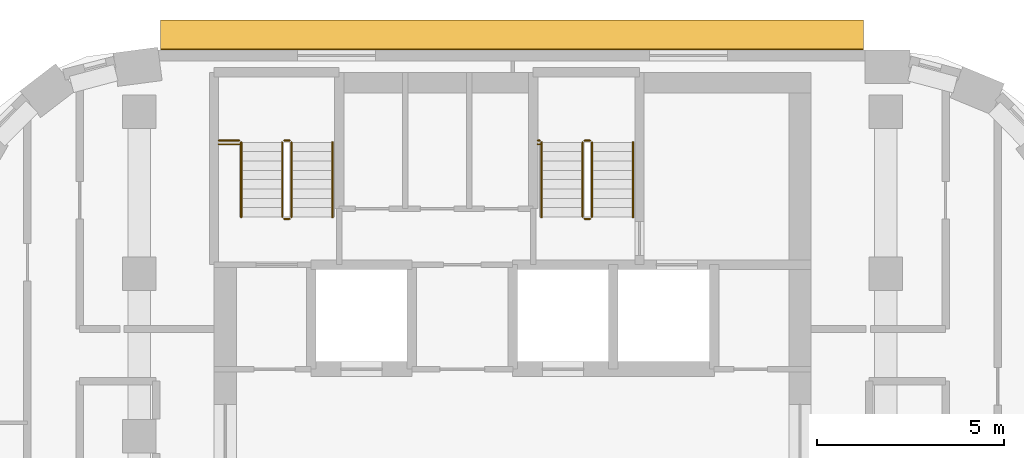
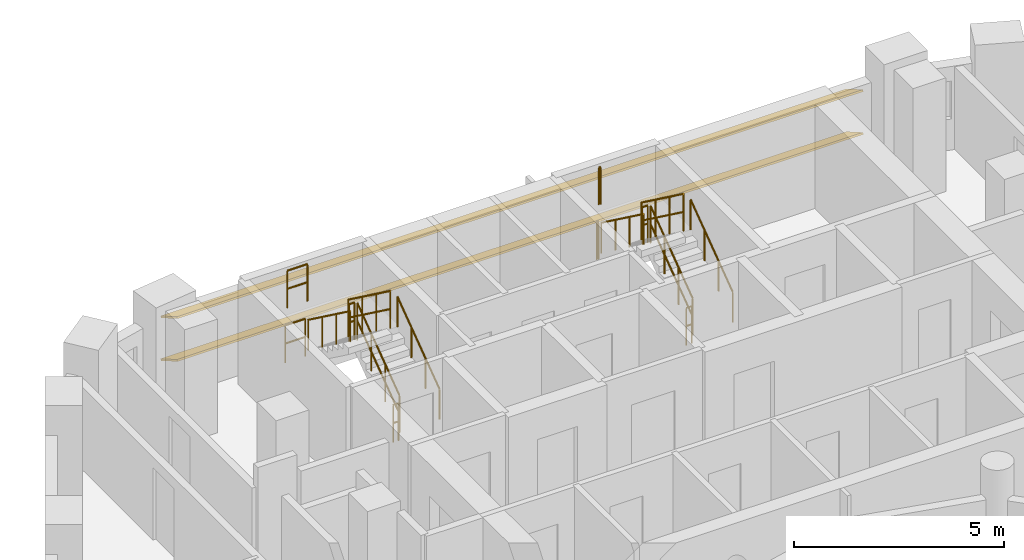
# One storey, part 17 of 17: 16 railings, 2 shading devices.
"""IFC4 building model written with IfcOpenShell, lengths in metres."""

from ifc_helpers import new_model, si_unit, direction, frame, origin, origin_2d, place, context, subcontext, project, spatial, rectangle, circle, extrude, material, material_profile, profile_set, type_object, element, save


model = new_model("IFC4")

# Units and contexts
model_context = context("Model", 3, precision=1e-05, world=origin(), true_north=direction((0.0, 1.0)))
body_context = subcontext(model_context, "Body", "Model", "MODEL_VIEW")
ifc_project = project(units=[si_unit("LENGTHUNIT", "METRE"), si_unit("AREAUNIT", "SQUARE_METRE"), si_unit("VOLUMEUNIT", "CUBIC_METRE"), si_unit("PLANEANGLEUNIT", "RADIAN"), si_unit("MASSUNIT", "GRAM", prefix="KILO")], contexts=[model_context])

# Site, building, storey
site_placement = place(None, origin())
site = spatial("IfcSite", under=ifc_project, at=site_placement, CompositionType="ELEMENT")
building_placement = place(site_placement, origin())
building = spatial("IfcBuilding", under=site, at=building_placement, Name="Nakaniwa Court", CompositionType="ELEMENT")
storey_placement = place(building_placement, frame((0.0, 0.0, 203.10009765625)))
storey = spatial("IfcBuildingStorey", under=building, at=storey_placement, Name="L53", CompositionType="ELEMENT", Elevation=203.10009765625)

# Shading devices
ifc_material_1 = material(Name="Perforated charcoal ceramic louvre blade")
ifc_material_profile = material_profile(ifc_material_1, rectangle(XDim=0.89990234375, YDim=0.050048828125, at=origin_2d()), Name="Perforated ceramic louvre blade")
ifc_profile_set = profile_set([ifc_material_profile], Name="Perforated charcoal ceramic louvre blade")
shading_device_type = type_object("IfcShadingDeviceType", Name="Perforated ceramic louvre blade", PredefinedType="JALOUSIE", material=ifc_profile_set)
for number, where, z_axis, x_axis, name in (
    (1, (89.3994140625, 103.05224609375, 0.5498046875), (-1.0, 0.0, 0.0), (0.0, -0.866025403784, 0.5), "L53 perforated ceramic louvre blade w08 1"),
    (2, (89.3994140625, 103.05224609375, 1.793212890625), (-1.0, 0.0, 0.0), (0.0, -0.866025403784, 0.5), "L53 perforated ceramic louvre blade w08 2"),
):
    element("IfcShadingDevice", number, at=place(storey_placement, frame(where, z_axis=z_axis, x_axis=x_axis)), inside=storey, type_object=shading_device_type, Name=name, PredefinedType="JALOUSIE", context=body_context, shape_type="SweptSolid", body=[
        extrude(rectangle(XDim=0.89990234375, YDim=0.050048828125, at=origin_2d()), origin(), (0.0, 0.0, 1.0), 18.8330078125),
    ])

# Railings
ifc_material_2 = material(Name="Black powder coated steel guard", Category="steel")
railing_type_1 = type_object("IfcRailingType", Name="Stair guard 1100", PredefinedType="GUARDRAIL", material=ifc_material_2)
railing_1_placement = place(storey_placement, frame((74.074951171875, 98.175048828125, 0.183349609375)))
element("IfcRailing", 3, at=railing_1_placement, inside=storey, type_object=railing_type_1, Name="L53 ST1 stair guard 1", PredefinedType="GUARDRAIL", context=body_context, shape_type="SweptSolid", body=[
    extrude(circle(Radius=0.02392578125, at=origin_2d()), frame((0.0, 0.0, 1.076171875), z_axis=(0.0, 0.806426902644, 0.591333789573), x_axis=(-1.0, 0.0, 0.0)), (0.0, 0.0, 1.0), 2.47998046875),
    extrude(circle(Radius=0.02392578125, at=origin_2d()), frame((0.0, 0.0, 0.550048828125), z_axis=(0.0, 0.806426902644, 0.591333789573), x_axis=(-1.0, 0.0, 0.0)), (0.0, 0.0, 1.0), 2.47998046875),
    extrude(circle(Radius=0.02099609375, at=origin_2d()), origin(), (0.0, 0.0, 1.0), 1.052001953125),
    extrude(circle(Radius=0.02099609375, at=origin_2d()), frame((0.0, 0.666748046875, 0.48876953125)), (0.0, 0.0, 1.0), 1.052001953125),
    extrude(circle(Radius=0.02099609375, at=origin_2d()), frame((0.0, 1.333251953125, 0.977783203125)), (0.0, 0.0, 1.0), 1.052001953125),
    extrude(circle(Radius=0.02099609375, at=origin_2d()), frame((0.0, 2.0, 1.466552734375)), (0.0, 0.0, 1.0), 1.052001953125),
])
railing_2_placement = place(storey_placement, frame((74.02490234375, 100.22509765625, 1.64990234375)))
element("IfcRailing", 4, at=railing_2_placement, inside=storey, type_object=railing_type_1, Name="L53 ST1 stair guard 2", PredefinedType="GUARDRAIL", context=body_context, shape_type="SweptSolid", body=[
    extrude(circle(Radius=0.02392578125, at=origin_2d()), frame((0.0, 0.0, 1.076171875), z_axis=(-1.0, 0.0, 0.0), x_axis=(0.0, -1.0, 0.0)), (0.0, 0.0, 1.0), 0.14990234375),
    extrude(circle(Radius=0.02392578125, at=origin_2d()), frame((0.0, 0.0, 0.550048828125), z_axis=(-1.0, 0.0, 0.0), x_axis=(0.0, -1.0, 0.0)), (0.0, 0.0, 1.0), 0.14990234375),
    extrude(circle(Radius=0.02099609375, at=origin_2d()), origin(), (0.0, 0.0, 1.0), 1.052001953125),
    extrude(circle(Radius=0.02099609375, at=origin_2d()), frame((-0.14990234375, 0.0, 0.0)), (0.0, 0.0, 1.0), 1.052001953125),
])
railing_3_placement = place(storey_placement, frame((73.824951171875, 100.175048828125, 1.833251953125)))
element("IfcRailing", 5, at=railing_3_placement, inside=storey, type_object=railing_type_1, Name="L53 ST1 stair guard 3", PredefinedType="GUARDRAIL", context=body_context, shape_type="SweptSolid", body=[
    extrude(circle(Radius=0.02392578125, at=origin_2d()), frame((0.0, 0.0, 1.076171875), z_axis=(0.0, -0.806426902644, 0.591333789573), x_axis=(1.0, 0.0, 0.0)), (0.0, 0.0, 1.0), 2.47998046875),
    extrude(circle(Radius=0.02392578125, at=origin_2d()), frame((0.0, 0.0, 0.550048828125), z_axis=(0.0, -0.806426902644, 0.591333789573), x_axis=(1.0, 0.0, 0.0)), (0.0, 0.0, 1.0), 2.47998046875),
    extrude(circle(Radius=0.02099609375, at=origin_2d()), origin(), (0.0, 0.0, 1.0), 1.052001953125),
    extrude(circle(Radius=0.02099609375, at=origin_2d()), frame((0.0, -0.666748046875, 0.48876953125)), (0.0, 0.0, 1.0), 1.052001953125),
    extrude(circle(Radius=0.02099609375, at=origin_2d()), frame((0.0, -1.333251953125, 0.977783203125)), (0.0, 0.0, 1.0), 1.052001953125),
    extrude(circle(Radius=0.02099609375, at=origin_2d()), frame((0.0, -2.0, 1.466552734375)), (0.0, 0.0, 1.0), 1.052001953125),
])
railing_4_placement = place(storey_placement, frame((74.02490234375, 98.125, 0.0)))
element("IfcRailing", 6, at=railing_4_placement, inside=storey, type_object=railing_type_1, Name="L53 ST1 stair guard 4", PredefinedType="GUARDRAIL", context=body_context, shape_type="SweptSolid", body=[
    extrude(circle(Radius=0.02392578125, at=origin_2d()), frame((0.0, 0.0, 1.076171875), z_axis=(-1.0, 0.0, 0.0), x_axis=(0.0, -1.0, 0.0)), (0.0, 0.0, 1.0), 0.14990234375),
    extrude(circle(Radius=0.02392578125, at=origin_2d()), frame((0.0, 0.0, 0.550048828125), z_axis=(-1.0, 0.0, 0.0), x_axis=(0.0, -1.0, 0.0)), (0.0, 0.0, 1.0), 0.14990234375),
    extrude(circle(Radius=0.02099609375, at=origin_2d()), origin(), (0.0, 0.0, 1.0), 1.052001953125),
    extrude(circle(Radius=0.02099609375, at=origin_2d()), frame((-0.14990234375, 0.0, 0.0)), (0.0, 0.0, 1.0), 1.052001953125),
])
for number, where, name in (
    (7, (72.125, 100.22509765625, 1.64990234375), "L53 ST1 landing side guard 1W"),
    (8, (72.125, 100.125, 3.2998046875), "L53 ST1 floor edge guard 1W"),
):
    element("IfcRailing", number, at=place(storey_placement, frame(where)), inside=storey, type_object=railing_type_1, Name=name, PredefinedType="GUARDRAIL", context=body_context, shape_type="SweptSolid", body=[
        extrude(circle(Radius=0.02392578125, at=origin_2d()), frame((0.0, 0.0, 1.076171875), z_axis=(1.0, 0.0, 0.0), x_axis=(0.0, 1.0, 0.0)), (0.0, 0.0, 1.0), 0.550048828125),
        extrude(circle(Radius=0.02392578125, at=origin_2d()), frame((0.0, 0.0, 0.550048828125), z_axis=(1.0, 0.0, 0.0), x_axis=(0.0, 1.0, 0.0)), (0.0, 0.0, 1.0), 0.550048828125),
        extrude(circle(Radius=0.02099609375, at=origin_2d()), origin(), (0.0, 0.0, 1.0), 1.052001953125),
        extrude(circle(Radius=0.02099609375, at=origin_2d()), frame((0.550048828125, 0.0, 0.0)), (0.0, 0.0, 1.0), 1.052001953125),
    ])
railing_5_placement = place(storey_placement, frame((82.125, 98.175048828125, 0.183349609375)))
element("IfcRailing", 9, at=railing_5_placement, inside=storey, type_object=railing_type_1, Name="L53 ST2 stair guard 1", PredefinedType="GUARDRAIL", context=body_context, shape_type="SweptSolid", body=[
    extrude(circle(Radius=0.02392578125, at=origin_2d()), frame((0.0, 0.0, 1.076171875), z_axis=(0.0, 0.806426902644, 0.591333789573), x_axis=(-1.0, 0.0, 0.0)), (0.0, 0.0, 1.0), 2.47998046875),
    extrude(circle(Radius=0.02392578125, at=origin_2d()), frame((0.0, 0.0, 0.550048828125), z_axis=(0.0, 0.806426902644, 0.591333789573), x_axis=(-1.0, 0.0, 0.0)), (0.0, 0.0, 1.0), 2.47998046875),
    extrude(circle(Radius=0.02099609375, at=origin_2d()), origin(), (0.0, 0.0, 1.0), 1.052001953125),
    extrude(circle(Radius=0.02099609375, at=origin_2d()), frame((0.0, 0.666748046875, 0.48876953125)), (0.0, 0.0, 1.0), 1.052001953125),
    extrude(circle(Radius=0.02099609375, at=origin_2d()), frame((0.0, 1.333251953125, 0.977783203125)), (0.0, 0.0, 1.0), 1.052001953125),
    extrude(circle(Radius=0.02099609375, at=origin_2d()), frame((0.0, 2.0, 1.466552734375)), (0.0, 0.0, 1.0), 1.052001953125),
])
railing_6_placement = place(storey_placement, frame((82.074951171875, 100.22509765625, 1.64990234375)))
element("IfcRailing", 10, at=railing_6_placement, inside=storey, type_object=railing_type_1, Name="L53 ST2 stair guard 2", PredefinedType="GUARDRAIL", context=body_context, shape_type="SweptSolid", body=[
    extrude(circle(Radius=0.02392578125, at=origin_2d()), frame((0.0, 0.0, 1.076171875), z_axis=(-1.0, 0.0, 0.0), x_axis=(0.0, -1.0, 0.0)), (0.0, 0.0, 1.0), 0.14990234375),
    extrude(circle(Radius=0.02392578125, at=origin_2d()), frame((0.0, 0.0, 0.550048828125), z_axis=(-1.0, 0.0, 0.0), x_axis=(0.0, -1.0, 0.0)), (0.0, 0.0, 1.0), 0.14990234375),
    extrude(circle(Radius=0.02099609375, at=origin_2d()), origin(), (0.0, 0.0, 1.0), 1.052001953125),
    extrude(circle(Radius=0.02099609375, at=origin_2d()), frame((-0.14990234375, 0.0, 0.0)), (0.0, 0.0, 1.0), 1.052001953125),
])
railing_7_placement = place(storey_placement, frame((81.875, 100.175048828125, 1.833251953125)))
element("IfcRailing", 11, at=railing_7_placement, inside=storey, type_object=railing_type_1, Name="L53 ST2 stair guard 3", PredefinedType="GUARDRAIL", context=body_context, shape_type="SweptSolid", body=[
    extrude(circle(Radius=0.02392578125, at=origin_2d()), frame((0.0, 0.0, 1.076171875), z_axis=(0.0, -0.806426902644, 0.591333789573), x_axis=(1.0, 0.0, 0.0)), (0.0, 0.0, 1.0), 2.47998046875),
    extrude(circle(Radius=0.02392578125, at=origin_2d()), frame((0.0, 0.0, 0.550048828125), z_axis=(0.0, -0.806426902644, 0.591333789573), x_axis=(1.0, 0.0, 0.0)), (0.0, 0.0, 1.0), 2.47998046875),
    extrude(circle(Radius=0.02099609375, at=origin_2d()), origin(), (0.0, 0.0, 1.0), 1.052001953125),
    extrude(circle(Radius=0.02099609375, at=origin_2d()), frame((0.0, -0.666748046875, 0.48876953125)), (0.0, 0.0, 1.0), 1.052001953125),
    extrude(circle(Radius=0.02099609375, at=origin_2d()), frame((0.0, -1.333251953125, 0.977783203125)), (0.0, 0.0, 1.0), 1.052001953125),
    extrude(circle(Radius=0.02099609375, at=origin_2d()), frame((0.0, -2.0, 1.466552734375)), (0.0, 0.0, 1.0), 1.052001953125),
])
railing_8_placement = place(storey_placement, frame((82.074951171875, 98.125, 0.0)))
element("IfcRailing", 12, at=railing_8_placement, inside=storey, type_object=railing_type_1, Name="L53 ST2 stair guard 4", PredefinedType="GUARDRAIL", context=body_context, shape_type="SweptSolid", body=[
    extrude(circle(Radius=0.02392578125, at=origin_2d()), frame((0.0, 0.0, 1.076171875), z_axis=(-1.0, 0.0, 0.0), x_axis=(0.0, -1.0, 0.0)), (0.0, 0.0, 1.0), 0.14990234375),
    extrude(circle(Radius=0.02392578125, at=origin_2d()), frame((0.0, 0.0, 0.550048828125), z_axis=(-1.0, 0.0, 0.0), x_axis=(0.0, -1.0, 0.0)), (0.0, 0.0, 1.0), 0.14990234375),
    extrude(circle(Radius=0.02099609375, at=origin_2d()), origin(), (0.0, 0.0, 1.0), 1.052001953125),
    extrude(circle(Radius=0.02099609375, at=origin_2d()), frame((-0.14990234375, 0.0, 0.0)), (0.0, 0.0, 1.0), 1.052001953125),
])
for number, where, name in (
    (13, (80.675048828125, 100.22509765625, 1.64990234375), "L53 ST2 landing side guard 1W"),
    (14, (80.675048828125, 100.125, 3.2998046875), "L53 ST2 floor edge guard 1W"),
):
    element("IfcRailing", number, at=place(storey_placement, frame(where)), inside=storey, type_object=railing_type_1, Name=name, PredefinedType="GUARDRAIL", context=body_context, shape_type="SweptSolid", body=[
        extrude(circle(Radius=0.02392578125, at=origin_2d()), frame((0.0, 0.0, 1.076171875), z_axis=(1.0, 0.0, 0.0), x_axis=(0.0, 1.0, 0.0)), (0.0, 0.0, 1.0), 0.050048828125),
        extrude(circle(Radius=0.02392578125, at=origin_2d()), frame((0.0, 0.0, 0.550048828125), z_axis=(1.0, 0.0, 0.0), x_axis=(0.0, 1.0, 0.0)), (0.0, 0.0, 1.0), 0.050048828125),
        extrude(circle(Radius=0.02099609375, at=origin_2d()), origin(), (0.0, 0.0, 1.0), 1.052001953125),
        extrude(circle(Radius=0.02099609375, at=origin_2d()), frame((0.050048828125, 0.0, 0.0)), (0.0, 0.0, 1.0), 1.052001953125),
    ])
ifc_material_3 = material(Name="Black powder coated steel handrail", Category="steel")
railing_type_2 = type_object("IfcRailingType", Name="Stair handrail 900", PredefinedType="HANDRAIL", material=ifc_material_3)
railing_9_placement = place(storey_placement, frame((75.175048828125, 98.175048828125, 0.183349609375)))
element("IfcRailing", 15, at=railing_9_placement, inside=storey, type_object=railing_type_2, Name="L53 ST1 stair handrail 1", PredefinedType="HANDRAIL", context=body_context, shape_type="SweptSolid", body=[
    extrude(circle(Radius=0.02392578125, at=origin_2d()), frame((0.0, 0.0, 0.8759765625), z_axis=(0.0, 0.806426902644, 0.591333789573), x_axis=(-1.0, 0.0, 0.0)), (0.0, 0.0, 1.0), 2.47998046875),
    extrude(circle(Radius=0.02099609375, at=origin_2d()), origin(), (0.0, 0.0, 1.0), 0.851806640625),
    extrude(circle(Radius=0.02099609375, at=origin_2d()), frame((0.0, 0.666748046875, 0.48876953125)), (0.0, 0.0, 1.0), 0.851806640625),
    extrude(circle(Radius=0.02099609375, at=origin_2d()), frame((0.0, 1.333251953125, 0.977783203125)), (0.0, 0.0, 1.0), 0.851806640625),
    extrude(circle(Radius=0.02099609375, at=origin_2d()), frame((0.0, 2.0, 1.466552734375)), (0.0, 0.0, 1.0), 0.851806640625),
])
railing_10_placement = place(storey_placement, frame((72.72509765625, 100.175048828125, 1.833251953125)))
element("IfcRailing", 16, at=railing_10_placement, inside=storey, type_object=railing_type_2, Name="L53 ST1 stair handrail 2", PredefinedType="HANDRAIL", context=body_context, shape_type="SweptSolid", body=[
    extrude(circle(Radius=0.02392578125, at=origin_2d()), frame((0.0, 0.0, 0.8759765625), z_axis=(0.0, -0.806426902644, 0.591333789573), x_axis=(1.0, 0.0, 0.0)), (0.0, 0.0, 1.0), 2.47998046875),
    extrude(circle(Radius=0.02099609375, at=origin_2d()), origin(), (0.0, 0.0, 1.0), 0.851806640625),
    extrude(circle(Radius=0.02099609375, at=origin_2d()), frame((0.0, -0.666748046875, 0.48876953125)), (0.0, 0.0, 1.0), 0.851806640625),
    extrude(circle(Radius=0.02099609375, at=origin_2d()), frame((0.0, -1.333251953125, 0.977783203125)), (0.0, 0.0, 1.0), 0.851806640625),
    extrude(circle(Radius=0.02099609375, at=origin_2d()), frame((0.0, -2.0, 1.466552734375)), (0.0, 0.0, 1.0), 0.851806640625),
])
railing_11_placement = place(storey_placement, frame((83.22509765625, 98.175048828125, 0.183349609375)))
element("IfcRailing", 17, at=railing_11_placement, inside=storey, type_object=railing_type_2, Name="L53 ST2 stair handrail 1", PredefinedType="HANDRAIL", context=body_context, shape_type="SweptSolid", body=[
    extrude(circle(Radius=0.02392578125, at=origin_2d()), frame((0.0, 0.0, 0.8759765625), z_axis=(0.0, 0.806426902644, 0.591333789573), x_axis=(-1.0, 0.0, 0.0)), (0.0, 0.0, 1.0), 2.47998046875),
    extrude(circle(Radius=0.02099609375, at=origin_2d()), origin(), (0.0, 0.0, 1.0), 0.851806640625),
    extrude(circle(Radius=0.02099609375, at=origin_2d()), frame((0.0, 0.666748046875, 0.48876953125)), (0.0, 0.0, 1.0), 0.851806640625),
    extrude(circle(Radius=0.02099609375, at=origin_2d()), frame((0.0, 1.333251953125, 0.977783203125)), (0.0, 0.0, 1.0), 0.851806640625),
    extrude(circle(Radius=0.02099609375, at=origin_2d()), frame((0.0, 2.0, 1.466552734375)), (0.0, 0.0, 1.0), 0.851806640625),
])
railing_12_placement = place(storey_placement, frame((80.77490234375, 100.175048828125, 1.833251953125)))
element("IfcRailing", 18, at=railing_12_placement, inside=storey, type_object=railing_type_2, Name="L53 ST2 stair handrail 2", PredefinedType="HANDRAIL", context=body_context, shape_type="SweptSolid", body=[
    extrude(circle(Radius=0.02392578125, at=origin_2d()), frame((0.0, 0.0, 0.8759765625), z_axis=(0.0, -0.806426902644, 0.591333789573), x_axis=(1.0, 0.0, 0.0)), (0.0, 0.0, 1.0), 2.47998046875),
    extrude(circle(Radius=0.02099609375, at=origin_2d()), origin(), (0.0, 0.0, 1.0), 0.851806640625),
    extrude(circle(Radius=0.02099609375, at=origin_2d()), frame((0.0, -0.666748046875, 0.48876953125)), (0.0, 0.0, 1.0), 0.851806640625),
    extrude(circle(Radius=0.02099609375, at=origin_2d()), frame((0.0, -1.333251953125, 0.977783203125)), (0.0, 0.0, 1.0), 0.851806640625),
    extrude(circle(Radius=0.02099609375, at=origin_2d()), frame((0.0, -2.0, 1.466552734375)), (0.0, 0.0, 1.0), 0.851806640625),
])

save(model, "model.ifc")
